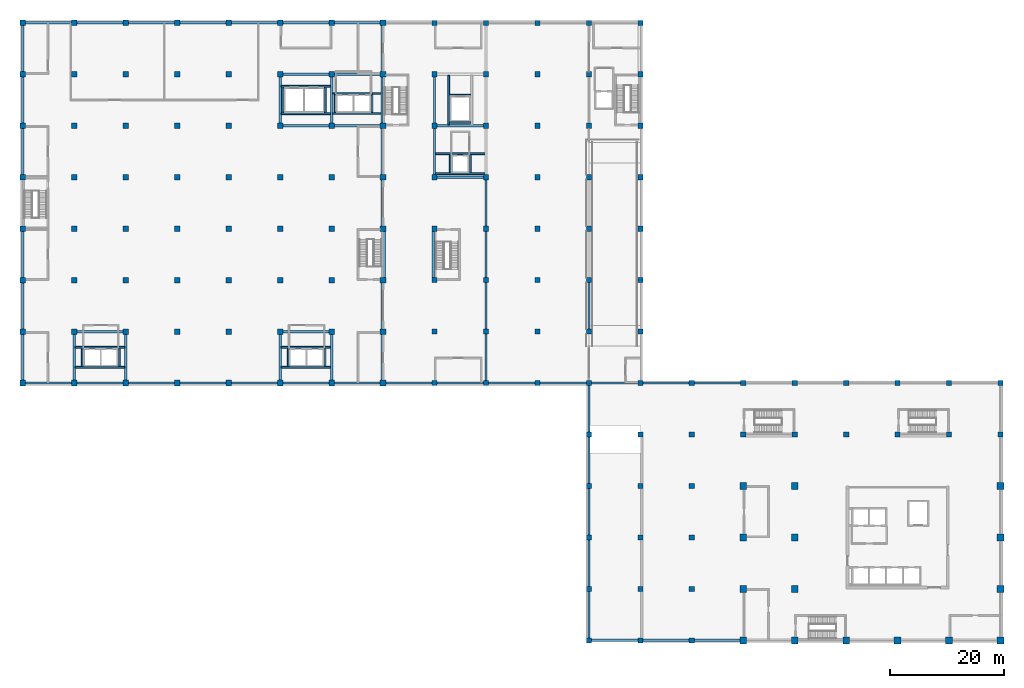
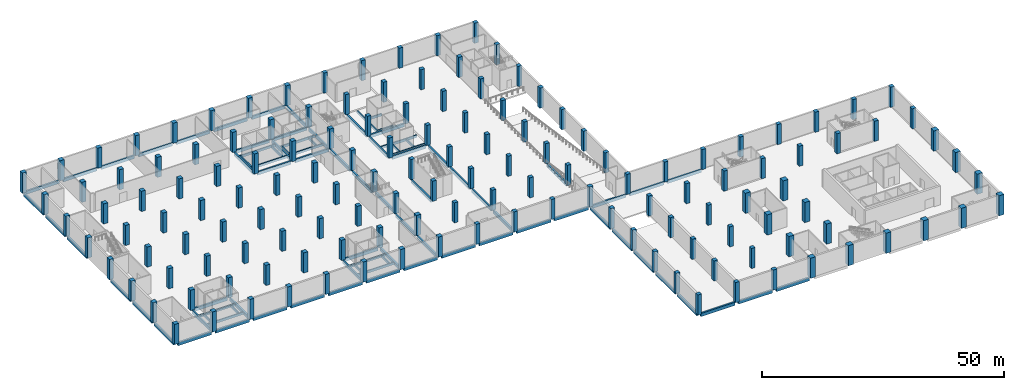
# One storey, part 1 of 16: 147 columns, 87 beams.
"""IFC4 building model written with IfcOpenShell, lengths in metres."""

from ifc_helpers import new_model, si_unit, direction, frame, origin, origin_2d, place, context, subcontext, project, spatial, rectangle, extrude, material, material_profile, profile_set, type_object, element, save


model = new_model("IFC4")

# Units and contexts
model_context = context("Model", 3, precision=1e-05, world=origin(), true_north=direction((0.0, 1.0)))
body_context = subcontext(model_context, "Body", "Model", "MODEL_VIEW")
ifc_project = project(units=[si_unit("LENGTHUNIT", "METRE"), si_unit("AREAUNIT", "SQUARE_METRE"), si_unit("VOLUMEUNIT", "CUBIC_METRE"), si_unit("PLANEANGLEUNIT", "RADIAN"), si_unit("MASSUNIT", "GRAM", prefix="KILO")], contexts=[model_context])

# Site, building, storey
site_placement = place(None, origin())
site = spatial("IfcSite", under=ifc_project, at=site_placement, CompositionType="ELEMENT")
building_placement = place(site_placement, origin())
building = spatial("IfcBuilding", under=site, at=building_placement, Name="Guidao Yard Department Store", CompositionType="ELEMENT")
storey_placement = place(building_placement, frame((0.0, 0.0, -5.10009765625)))
storey = spatial("IfcBuildingStorey", under=building, at=storey_placement, Name="B1", CompositionType="ELEMENT", Elevation=-5.10009765625)

# Columns
ifc_material_1 = material(Name="Concrete C50", Category="concrete")
ifc_material_profile_1 = material_profile(ifc_material_1, rectangle(XDim=1.0, YDim=1.0, at=origin_2d()), Name="COL 1000x1000")
ifc_profile_set_1 = profile_set([ifc_material_profile_1], Name="Concrete C50")
column_type_1 = type_object("IfcColumnType", Name="Column 1000x1000 C50", PredefinedType="COLUMN", material=ifc_profile_set_1)
for number, where, z_axis, x_axis, name in (
    (1, (0.0, 45.0, 0.0), (0.0, 0.0, 1.0), (1.0, 0.0, 0.0), "Column 1/F B1"),
    (2, (9.0, 45.0, 0.0), (0.0, 0.0, 1.0), (1.0, 0.0, 0.0), "Column 2/F B1"),
    (3, (18.0, 45.0, 0.0), (0.0, 0.0, 1.0), (1.0, 0.0, 0.0), "Column 3/F B1"),
    (4, (27.0, 45.0, 0.0), (0.0, 0.0, 1.0), (1.0, 0.0, 0.0), "Column 4/F B1"),
    (5, (36.0, 45.0, 0.0), (0.0, 0.0, 1.0), (1.0, 0.0, 0.0), "Column 5/F B1"),
    (6, (45.0, 45.0, 0.0), (0.0, 0.0, 1.0), (1.0, 0.0, 0.0), "Column 6/F B1"),
    (7, (54.0, 45.0, 0.0), (0.0, 0.0, 1.0), (1.0, 0.0, 0.0), "Column 7/F B1"),
    (8, (63.0, 45.0, 0.0), (0.0, 0.0, 1.0), (1.0, 0.0, 0.0), "Column 8/F B1"),
    (9, (0.0, 54.0, 0.0), (0.0, 0.0, 1.0), (1.0, 0.0, 0.0), "Column 1/G B1"),
    (10, (9.0, 54.0, 0.0), (0.0, 0.0, 1.0), (1.0, 0.0, 0.0), "Column 2/G B1"),
    (11, (18.0, 54.0, 0.0), (0.0, 0.0, 1.0), (1.0, 0.0, 0.0), "Column 3/G B1"),
    (12, (27.0, 54.0, 0.0), (0.0, 0.0, 1.0), (1.0, 0.0, 0.0), "Column 4/G B1"),
    (13, (36.0, 54.0, 0.0), (0.0, 0.0, 1.0), (1.0, 0.0, 0.0), "Column 5/G B1"),
    (14, (45.0, 54.0, 0.0), (0.0, 0.0, 1.0), (1.0, 0.0, 0.0), "Column 6/G B1"),
    (15, (54.0, 54.0, 0.0), (0.0, 0.0, 1.0), (1.0, 0.0, 0.0), "Column 7/G B1"),
    (16, (63.0, 54.0, 0.0), (0.0, 0.0, 1.0), (1.0, 0.0, 0.0), "Column 8/G B1"),
    (17, (0.0, 63.0, 0.0), (0.0, 0.0, 1.0), (1.0, 0.0, 0.0), "Column 1/H B1"),
    (18, (9.0, 63.0, 0.0), (0.0, 0.0, 1.0), (1.0, 0.0, 0.0), "Column 2/H B1"),
    (19, (18.0, 63.0, 0.0), (0.0, 0.0, 1.0), (1.0, 0.0, 0.0), "Column 3/H B1"),
    (20, (27.0, 63.0, 0.0), (0.0, 0.0, 1.0), (1.0, 0.0, 0.0), "Column 4/H B1"),
    (21, (36.0, 63.0, 0.0), (0.0, 0.0, 1.0), (1.0, 0.0, 0.0), "Column 5/H B1"),
    (22, (45.0, 63.0, 0.0), (0.0, 0.0, 1.0), (1.0, 0.0, 0.0), "Column 6/H B1"),
    (23, (54.0, 63.0, 0.0), (0.0, 0.0, 1.0), (1.0, 0.0, 0.0), "Column 7/H B1"),
    (24, (63.0, 63.0, 0.0), (0.0, 0.0, 1.0), (1.0, 0.0, 0.0), "Column 8/H B1"),
    (25, (0.0, 72.0, 0.0), (0.0, 0.0, 1.0), (1.0, 0.0, 0.0), "Column 1/J B1"),
    (26, (9.0, 72.0, 0.0), (0.0, 0.0, 1.0), (1.0, 0.0, 0.0), "Column 2/J B1"),
    (27, (18.0, 72.0, 0.0), (0.0, 0.0, 1.0), (1.0, 0.0, 0.0), "Column 3/J B1"),
    (28, (27.0, 72.0, 0.0), (0.0, 0.0, 1.0), (1.0, 0.0, 0.0), "Column 4/J B1"),
    (29, (36.0, 72.0, 0.0), (0.0, 0.0, 1.0), (1.0, 0.0, 0.0), "Column 5/J B1"),
    (30, (45.0, 72.0, 0.0), (0.0, 0.0, 1.0), (1.0, 0.0, 0.0), "Column 6/J B1"),
    (31, (54.0, 72.0, 0.0), (0.0, 0.0, 1.0), (1.0, 0.0, 0.0), "Column 7/J B1"),
    (32, (63.0, 72.0, 0.0), (0.0, 0.0, 1.0), (1.0, 0.0, 0.0), "Column 8/J B1"),
    (33, (0.0, 81.0, 0.0), (0.0, 0.0, 1.0), (1.0, 0.0, 0.0), "Column 1/K B1"),
    (34, (9.0, 81.0, 0.0), (0.0, 0.0, 1.0), (1.0, 0.0, 0.0), "Column 2/K B1"),
    (35, (18.0, 81.0, 0.0), (0.0, 0.0, 1.0), (1.0, 0.0, 0.0), "Column 3/K B1"),
    (36, (27.0, 81.0, 0.0), (0.0, 0.0, 1.0), (1.0, 0.0, 0.0), "Column 4/K B1"),
    (37, (36.0, 81.0, 0.0), (0.0, 0.0, 1.0), (1.0, 0.0, 0.0), "Column 5/K B1"),
    (38, (45.0, 81.0, 0.0), (0.0, 0.0, 1.0), (1.0, 0.0, 0.0), "Column 6/K B1"),
    (39, (54.0, 81.0, 0.0), (0.0, 0.0, 1.0), (1.0, 0.0, 0.0), "Column 7/K B1"),
    (40, (63.0, 81.0, 0.0), (0.0, 0.0, 1.0), (1.0, 0.0, 0.0), "Column 8/K B1"),
    (41, (0.0, 90.0, 0.0), (0.0, 0.0, 1.0), (1.0, 0.0, 0.0), "Column 1/L B1"),
    (42, (9.0, 90.0, 0.0), (0.0, 0.0, 1.0), (1.0, 0.0, 0.0), "Column 2/L B1"),
    (43, (18.0, 90.0, 0.0), (0.0, 0.0, 1.0), (1.0, 0.0, 0.0), "Column 3/L B1"),
    (44, (27.0, 90.0, 0.0), (0.0, 0.0, 1.0), (1.0, 0.0, 0.0), "Column 4/L B1"),
    (45, (36.0, 90.0, 0.0), (0.0, 0.0, 1.0), (1.0, 0.0, 0.0), "Column 5/L B1"),
    (46, (45.0, 90.0, 0.0), (0.0, 0.0, 1.0), (1.0, 0.0, 0.0), "Column 6/L B1"),
    (47, (54.0, 90.0, 0.0), (0.0, 0.0, 1.0), (1.0, 0.0, 0.0), "Column 7/L B1"),
    (48, (63.0, 90.0, 0.0), (0.0, 0.0, 1.0), (1.0, 0.0, 0.0), "Column 8/L B1"),
    (49, (0.0, 99.0, 0.0), (0.0, 0.0, 1.0), (1.0, 0.0, 0.0), "Column 1/M B1"),
    (50, (9.0, 99.0, 0.0), (0.0, 0.0, 1.0), (1.0, 0.0, 0.0), "Column 2/M B1"),
    (51, (18.0, 99.0, 0.0), (0.0, 0.0, 1.0), (1.0, 0.0, 0.0), "Column 3/M B1"),
    (52, (27.0, 99.0, 0.0), (0.0, 0.0, 1.0), (1.0, 0.0, 0.0), "Column 4/M B1"),
    (53, (36.0, 99.0, 0.0), (0.0, 0.0, 1.0), (1.0, 0.0, 0.0), "Column 5/M B1"),
    (54, (45.0, 99.0, 0.0), (0.0, 0.0, 1.0), (1.0, 0.0, 0.0), "Column 6/M B1"),
    (55, (54.0, 99.0, 0.0), (0.0, 0.0, 1.0), (1.0, 0.0, 0.0), "Column 7/M B1"),
    (56, (63.0, 99.0, 0.0), (0.0, 0.0, 1.0), (1.0, 0.0, 0.0), "Column 8/M B1"),
    (57, (0.0, 108.0, 0.0), (0.0, 0.0, 1.0), (1.0, 0.0, 0.0), "Column 1/N B1"),
    (58, (9.0, 108.0, 0.0), (0.0, 0.0, 1.0), (1.0, 0.0, 0.0), "Column 2/N B1"),
    (59, (18.0, 108.0, 0.0), (0.0, 0.0, 1.0), (1.0, 0.0, 0.0), "Column 3/N B1"),
    (60, (27.0, 108.0, 0.0), (0.0, 0.0, 1.0), (1.0, 0.0, 0.0), "Column 4/N B1"),
    (61, (36.0, 108.0, 0.0), (0.0, 0.0, 1.0), (1.0, 0.0, 0.0), "Column 5/N B1"),
    (62, (45.0, 108.0, 0.0), (0.0, 0.0, 1.0), (1.0, 0.0, 0.0), "Column 6/N B1"),
    (63, (54.0, 108.0, 0.0), (0.0, 0.0, 1.0), (1.0, 0.0, 0.0), "Column 7/N B1"),
    (64, (63.0, 108.0, 0.0), (0.0, 0.0, 1.0), (1.0, 0.0, 0.0), "Column 8/N B1"),
):
    element("IfcColumn", number, at=place(storey_placement, frame(where, z_axis=z_axis, x_axis=x_axis)), inside=storey, type_object=column_type_1, Name=name, PredefinedType="COLUMN", context=body_context, shape_type="SweptSolid", body=[
        extrude(rectangle(XDim=1.0, YDim=1.0, at=origin_2d()), origin(), (0.0, 0.0, 1.0), 5.10009765625),
    ])
ifc_material_2 = material(Name="Concrete C60", Category="concrete")
ifc_material_profile_2 = material_profile(ifc_material_2, rectangle(XDim=1.199951171875, YDim=1.199951171875, at=origin_2d()), Name="COL 1200x1200")
ifc_profile_set_2 = profile_set([ifc_material_profile_2], Name="Concrete C60")
column_type_2 = type_object("IfcColumnType", Name="Column 1200x1200 C60", PredefinedType="COLUMN", material=ifc_profile_set_2)
for number, where, z_axis, x_axis, name in (
    (65, (126.0, 0.0, 0.0), (0.0, 0.0, 1.0), (1.0, 0.0, 0.0), "Column 15/A B1"),
    (66, (135.0, 0.0, 0.0), (0.0, 0.0, 1.0), (1.0, 0.0, 0.0), "Column 16/A B1"),
    (67, (144.0, 0.0, 0.0), (0.0, 0.0, 1.0), (1.0, 0.0, 0.0), "Column 17/A B1"),
    (68, (153.0, 0.0, 0.0), (0.0, 0.0, 1.0), (1.0, 0.0, 0.0), "Column 18/A B1"),
    (69, (162.0, 0.0, 0.0), (0.0, 0.0, 1.0), (1.0, 0.0, 0.0), "Column 19/A B1"),
    (70, (171.0, 0.0, 0.0), (0.0, 0.0, 1.0), (1.0, 0.0, 0.0), "Column 20/A B1"),
    (71, (126.0, 9.0, 0.0), (0.0, 0.0, 1.0), (1.0, 0.0, 0.0), "Column 15/B B1"),
    (72, (135.0, 9.0, 0.0), (0.0, 0.0, 1.0), (1.0, 0.0, 0.0), "Column 16/B B1"),
    (73, (171.0, 9.0, 0.0), (0.0, 0.0, 1.0), (1.0, 0.0, 0.0), "Column 20/B B1"),
    (74, (126.0, 18.0, 0.0), (0.0, 0.0, 1.0), (1.0, 0.0, 0.0), "Column 15/C B1"),
    (75, (135.0, 18.0, 0.0), (0.0, 0.0, 1.0), (1.0, 0.0, 0.0), "Column 16/C B1"),
    (76, (171.0, 18.0, 0.0), (0.0, 0.0, 1.0), (1.0, 0.0, 0.0), "Column 20/C B1"),
    (77, (126.0, 27.0, 0.0), (0.0, 0.0, 1.0), (1.0, 0.0, 0.0), "Column 15/D B1"),
    (78, (135.0, 27.0, 0.0), (0.0, 0.0, 1.0), (1.0, 0.0, 0.0), "Column 16/D B1"),
    (79, (171.0, 27.0, 0.0), (0.0, 0.0, 1.0), (1.0, 0.0, 0.0), "Column 20/D B1"),
):
    element("IfcColumn", number, at=place(storey_placement, frame(where, z_axis=z_axis, x_axis=x_axis)), inside=storey, type_object=column_type_2, Name=name, PredefinedType="COLUMN", context=body_context, shape_type="SweptSolid", body=[
        extrude(rectangle(XDim=1.199951171875, YDim=1.199951171875, at=origin_2d()), origin(), (0.0, 0.0, 1.0), 5.10009765625),
    ])
ifc_material_3 = material(Name="Concrete C40", Category="concrete")
ifc_material_profile_3 = material_profile(ifc_material_3, rectangle(XDim=0.89990234375, YDim=0.89990234375, at=origin_2d()), Name="COL 900x900")
ifc_profile_set_3 = profile_set([ifc_material_profile_3], Name="Concrete C40")
column_type_3 = type_object("IfcColumnType", Name="Column 900x900 C40", PredefinedType="COLUMN", material=ifc_profile_set_3)
for number, where, z_axis, x_axis, name in (
    (80, (99.0, 0.0, 0.0), (0.0, 0.0, 1.0), (1.0, 0.0, 0.0), "Column 12/A B1"),
    (81, (108.0, 0.0, 0.0), (0.0, 0.0, 1.0), (1.0, 0.0, 0.0), "Column 13/A B1"),
    (82, (117.0, 0.0, 0.0), (0.0, 0.0, 1.0), (1.0, 0.0, 0.0), "Column 14/A B1"),
    (83, (99.0, 9.0, 0.0), (0.0, 0.0, 1.0), (1.0, 0.0, 0.0), "Column 12/B B1"),
    (84, (108.0, 9.0, 0.0), (0.0, 0.0, 1.0), (1.0, 0.0, 0.0), "Column 13/B B1"),
    (85, (117.0, 9.0, 0.0), (0.0, 0.0, 1.0), (1.0, 0.0, 0.0), "Column 14/B B1"),
    (86, (99.0, 18.0, 0.0), (0.0, 0.0, 1.0), (1.0, 0.0, 0.0), "Column 12/C B1"),
    (87, (108.0, 18.0, 0.0), (0.0, 0.0, 1.0), (1.0, 0.0, 0.0), "Column 13/C B1"),
    (88, (117.0, 18.0, 0.0), (0.0, 0.0, 1.0), (1.0, 0.0, 0.0), "Column 14/C B1"),
    (89, (99.0, 27.0, 0.0), (0.0, 0.0, 1.0), (1.0, 0.0, 0.0), "Column 12/D B1"),
    (90, (108.0, 27.0, 0.0), (0.0, 0.0, 1.0), (1.0, 0.0, 0.0), "Column 13/D B1"),
    (91, (117.0, 27.0, 0.0), (0.0, 0.0, 1.0), (1.0, 0.0, 0.0), "Column 14/D B1"),
    (92, (99.0, 36.0, 0.0), (0.0, 0.0, 1.0), (1.0, 0.0, 0.0), "Column 12/E B1"),
    (93, (108.0, 36.0, 0.0), (0.0, 0.0, 1.0), (1.0, 0.0, 0.0), "Column 13/E B1"),
    (94, (117.0, 36.0, 0.0), (0.0, 0.0, 1.0), (1.0, 0.0, 0.0), "Column 14/E B1"),
    (95, (126.0, 36.0, 0.0), (0.0, 0.0, 1.0), (1.0, 0.0, 0.0), "Column 15/E B1"),
    (96, (135.0, 36.0, 0.0), (0.0, 0.0, 1.0), (1.0, 0.0, 0.0), "Column 16/E B1"),
    (97, (144.0, 36.0, 0.0), (0.0, 0.0, 1.0), (1.0, 0.0, 0.0), "Column 17/E B1"),
    (98, (153.0, 36.0, 0.0), (0.0, 0.0, 1.0), (1.0, 0.0, 0.0), "Column 18/E B1"),
    (99, (162.0, 36.0, 0.0), (0.0, 0.0, 1.0), (1.0, 0.0, 0.0), "Column 19/E B1"),
    (100, (171.0, 36.0, 0.0), (0.0, 0.0, 1.0), (1.0, 0.0, 0.0), "Column 20/E B1"),
    (101, (72.0, 45.0, 0.0), (0.0, 0.0, 1.0), (1.0, 0.0, 0.0), "Column 9/F B1"),
    (102, (81.0, 45.0, 0.0), (0.0, 0.0, 1.0), (1.0, 0.0, 0.0), "Column 10/F B1"),
    (103, (90.0, 45.0, 0.0), (0.0, 0.0, 1.0), (1.0, 0.0, 0.0), "Column 11/F B1"),
    (104, (99.0, 45.0, 0.0), (0.0, 0.0, 1.0), (1.0, 0.0, 0.0), "Column 12/F B1"),
    (105, (108.0, 45.0, 0.0), (0.0, 0.0, 1.0), (1.0, 0.0, 0.0), "Column 13/F B1"),
    (106, (117.0, 45.0, 0.0), (0.0, 0.0, 1.0), (1.0, 0.0, 0.0), "Column 14/F B1"),
    (107, (126.0, 45.0, 0.0), (0.0, 0.0, 1.0), (1.0, 0.0, 0.0), "Column 15/F B1"),
    (108, (135.0, 45.0, 0.0), (0.0, 0.0, 1.0), (1.0, 0.0, 0.0), "Column 16/F B1"),
    (109, (144.0, 45.0, 0.0), (0.0, 0.0, 1.0), (1.0, 0.0, 0.0), "Column 17/F B1"),
    (110, (153.0, 45.0, 0.0), (0.0, 0.0, 1.0), (1.0, 0.0, 0.0), "Column 18/F B1"),
    (111, (162.0, 45.0, 0.0), (0.0, 0.0, 1.0), (1.0, 0.0, 0.0), "Column 19/F B1"),
    (112, (171.0, 45.0, 0.0), (0.0, 0.0, 1.0), (1.0, 0.0, 0.0), "Column 20/F B1"),
    (113, (72.0, 54.0, 0.0), (0.0, 0.0, 1.0), (1.0, 0.0, 0.0), "Column 9/G B1"),
    (114, (81.0, 54.0, 0.0), (0.0, 0.0, 1.0), (1.0, 0.0, 0.0), "Column 10/G B1"),
    (115, (90.0, 54.0, 0.0), (0.0, 0.0, 1.0), (1.0, 0.0, 0.0), "Column 11/G B1"),
    (116, (99.0, 54.0, 0.0), (0.0, 0.0, 1.0), (1.0, 0.0, 0.0), "Column 12/G B1"),
    (117, (108.0, 54.0, 0.0), (0.0, 0.0, 1.0), (1.0, 0.0, 0.0), "Column 13/G B1"),
    (118, (72.0, 63.0, 0.0), (0.0, 0.0, 1.0), (1.0, 0.0, 0.0), "Column 9/H B1"),
    (119, (81.0, 63.0, 0.0), (0.0, 0.0, 1.0), (1.0, 0.0, 0.0), "Column 10/H B1"),
    (120, (90.0, 63.0, 0.0), (0.0, 0.0, 1.0), (1.0, 0.0, 0.0), "Column 11/H B1"),
    (121, (99.0, 63.0, 0.0), (0.0, 0.0, 1.0), (1.0, 0.0, 0.0), "Column 12/H B1"),
    (122, (108.0, 63.0, 0.0), (0.0, 0.0, 1.0), (1.0, 0.0, 0.0), "Column 13/H B1"),
    (123, (72.0, 72.0, 0.0), (0.0, 0.0, 1.0), (1.0, 0.0, 0.0), "Column 9/J B1"),
    (124, (81.0, 72.0, 0.0), (0.0, 0.0, 1.0), (1.0, 0.0, 0.0), "Column 10/J B1"),
    (125, (90.0, 72.0, 0.0), (0.0, 0.0, 1.0), (1.0, 0.0, 0.0), "Column 11/J B1"),
    (126, (99.0, 72.0, 0.0), (0.0, 0.0, 1.0), (1.0, 0.0, 0.0), "Column 12/J B1"),
    (127, (108.0, 72.0, 0.0), (0.0, 0.0, 1.0), (1.0, 0.0, 0.0), "Column 13/J B1"),
    (128, (72.0, 81.0, 0.0), (0.0, 0.0, 1.0), (1.0, 0.0, 0.0), "Column 9/K B1"),
    (129, (81.0, 81.0, 0.0), (0.0, 0.0, 1.0), (1.0, 0.0, 0.0), "Column 10/K B1"),
    (130, (90.0, 81.0, 0.0), (0.0, 0.0, 1.0), (1.0, 0.0, 0.0), "Column 11/K B1"),
    (131, (99.0, 81.0, 0.0), (0.0, 0.0, 1.0), (1.0, 0.0, 0.0), "Column 12/K B1"),
    (132, (108.0, 81.0, 0.0), (0.0, 0.0, 1.0), (1.0, 0.0, 0.0), "Column 13/K B1"),
    (133, (72.0, 90.0, 0.0), (0.0, 0.0, 1.0), (1.0, 0.0, 0.0), "Column 9/L B1"),
    (134, (81.0, 90.0, 0.0), (0.0, 0.0, 1.0), (1.0, 0.0, 0.0), "Column 10/L B1"),
    (135, (90.0, 90.0, 0.0), (0.0, 0.0, 1.0), (1.0, 0.0, 0.0), "Column 11/L B1"),
    (136, (99.0, 90.0, 0.0), (0.0, 0.0, 1.0), (1.0, 0.0, 0.0), "Column 12/L B1"),
    (137, (108.0, 90.0, 0.0), (0.0, 0.0, 1.0), (1.0, 0.0, 0.0), "Column 13/L B1"),
    (138, (72.0, 99.0, 0.0), (0.0, 0.0, 1.0), (1.0, 0.0, 0.0), "Column 9/M B1"),
    (139, (81.0, 99.0, 0.0), (0.0, 0.0, 1.0), (1.0, 0.0, 0.0), "Column 10/M B1"),
    (140, (90.0, 99.0, 0.0), (0.0, 0.0, 1.0), (1.0, 0.0, 0.0), "Column 11/M B1"),
    (141, (99.0, 99.0, 0.0), (0.0, 0.0, 1.0), (1.0, 0.0, 0.0), "Column 12/M B1"),
    (142, (108.0, 99.0, 0.0), (0.0, 0.0, 1.0), (1.0, 0.0, 0.0), "Column 13/M B1"),
    (143, (72.0, 108.0, 0.0), (0.0, 0.0, 1.0), (1.0, 0.0, 0.0), "Column 9/N B1"),
    (144, (81.0, 108.0, 0.0), (0.0, 0.0, 1.0), (1.0, 0.0, 0.0), "Column 10/N B1"),
    (145, (90.0, 108.0, 0.0), (0.0, 0.0, 1.0), (1.0, 0.0, 0.0), "Column 11/N B1"),
    (146, (99.0, 108.0, 0.0), (0.0, 0.0, 1.0), (1.0, 0.0, 0.0), "Column 12/N B1"),
    (147, (108.0, 108.0, 0.0), (0.0, 0.0, 1.0), (1.0, 0.0, 0.0), "Column 13/N B1"),
):
    element("IfcColumn", number, at=place(storey_placement, frame(where, z_axis=z_axis, x_axis=x_axis)), inside=storey, type_object=column_type_3, Name=name, PredefinedType="COLUMN", context=body_context, shape_type="SweptSolid", body=[
        extrude(rectangle(XDim=0.89990234375, YDim=0.89990234375, at=origin_2d()), origin(), (0.0, 0.0, 1.0), 5.10009765625),
    ])

# Beams
ifc_material_4 = material(Name="Concrete C40", Category="concrete")
ifc_material_profile_4 = material_profile(ifc_material_4, rectangle(XDim=0.39990234375, YDim=0.800048828125, at=origin_2d()), Name="Edge beam 400 x 800 C40")
ifc_profile_set_4 = profile_set([ifc_material_profile_4], Name="Concrete C40")
beam_type_1 = type_object("IfcBeamType", Name="Edge beam 400 x 800 C40", PredefinedType="BEAM", material=ifc_profile_set_4)
for number, where, z_axis, x_axis, name in (
    (148, (62.800048828125, 45.5, -0.39990234375), (0.0, 1.0, 0.0), (-1.0, 0.0, 0.0), "Beam EB18"),
    (149, (62.800048828125, 54.5, -0.39990234375), (0.0, 1.0, 0.0), (-1.0, 0.0, 0.0), "Beam EB19"),
):
    element("IfcBeam", number, at=place(storey_placement, frame(where, z_axis=z_axis, x_axis=x_axis)), inside=storey, type_object=beam_type_1, Name=name, PredefinedType="BEAM", context=body_context, shape_type="SweptSolid", body=[
        extrude(rectangle(XDim=0.39990234375, YDim=0.800048828125, at=origin_2d()), origin(), (0.0, 0.0, 1.0), 8.0),
    ])
for number, where, z_axis, x_axis, name in (
    (150, (71.800048828125, 63.449951171875, -0.39990234375), (0.0, 1.0, 0.0), (-1.0, 0.0, 0.0), "Beam EB42"),
    (151, (81.0, 45.449951171875, -0.39990234375), (0.0, 1.0, 0.0), (-1.0, 0.0, 0.0), "Beam EB43"),
    (152, (81.0, 54.449951171875, -0.39990234375), (0.0, 1.0, 0.0), (-1.0, 0.0, 0.0), "Beam EB44"),
    (153, (81.0, 63.449951171875, -0.39990234375), (0.0, 1.0, 0.0), (-1.0, 0.0, 0.0), "Beam EB45"),
    (154, (81.0, 72.449951171875, -0.39990234375), (0.0, 1.0, 0.0), (-1.0, 0.0, 0.0), "Beam EB46"),
):
    element("IfcBeam", number, at=place(storey_placement, frame(where, z_axis=z_axis, x_axis=x_axis)), inside=storey, type_object=beam_type_1, Name=name, PredefinedType="BEAM", context=body_context, shape_type="SweptSolid", body=[
        extrude(rectangle(XDim=0.39990234375, YDim=0.800048828125, at=origin_2d()), origin(), (0.0, 0.0, 1.0), 8.10009765625),
    ])
for number, where, z_axis, x_axis, name in (
    (155, (9.5, 54.0, -0.39990234375), (1.0, 0.0, 0.0), (0.0, 1.0, 0.0), "Beam EB78"),
    (156, (9.0, 45.5, -0.39990234375), (0.0, 1.0, 0.0), (-1.0, 0.0, 0.0), "Beam EB79"),
    (157, (18.0, 45.5, -0.39990234375), (0.0, 1.0, 0.0), (-1.0, 0.0, 0.0), "Beam EB80"),
    (158, (45.5, 54.0, -0.39990234375), (1.0, 0.0, 0.0), (0.0, 1.0, 0.0), "Beam EB81"),
    (159, (45.0, 45.5, -0.39990234375), (0.0, 1.0, 0.0), (-1.0, 0.0, 0.0), "Beam EB82"),
    (160, (54.0, 45.5, -0.39990234375), (0.0, 1.0, 0.0), (-1.0, 0.0, 0.0), "Beam EB83"),
    (161, (45.5, 90.0, -0.39990234375), (1.0, 0.0, 0.0), (0.0, 1.0, 0.0), "Beam EB84"),
    (162, (45.5, 99.0, -0.39990234375), (1.0, 0.0, 0.0), (0.0, 1.0, 0.0), "Beam EB85"),
    (163, (45.0, 90.5, -0.39990234375), (0.0, 1.0, 0.0), (-1.0, 0.0, 0.0), "Beam EB86"),
    (164, (54.0, 90.5, -0.39990234375), (0.0, 1.0, 0.0), (-1.0, 0.0, 0.0), "Beam EB87"),
    (165, (54.5, 90.0, -0.39990234375), (1.0, 0.0, 0.0), (0.0, 1.0, 0.0), "Beam EB88"),
    (166, (54.5, 99.0, -0.39990234375), (1.0, 0.0, 0.0), (0.0, 1.0, 0.0), "Beam EB89"),
):
    element("IfcBeam", number, at=place(storey_placement, frame(where, z_axis=z_axis, x_axis=x_axis)), inside=storey, type_object=beam_type_1, Name=name, PredefinedType="BEAM", context=body_context, shape_type="SweptSolid", body=[
        extrude(rectangle(XDim=0.39990234375, YDim=0.800048828125, at=origin_2d()), origin(), (0.0, 0.0, 1.0), 8.0),
    ])
for number, where, z_axis, x_axis, name in (
    (167, (72.449951171875, 81.0, -0.39990234375), (1.0, 0.0, 0.0), (0.0, 1.0, 0.0), "Beam EB90"),
    (168, (72.449951171875, 90.0, -0.39990234375), (1.0, 0.0, 0.0), (0.0, 1.0, 0.0), "Beam EB91"),
    (169, (72.0, 81.449951171875, -0.39990234375), (0.0, 1.0, 0.0), (-1.0, 0.0, 0.0), "Beam EB92"),
    (170, (72.0, 90.449951171875, -0.39990234375), (0.0, 1.0, 0.0), (-1.0, 0.0, 0.0), "Beam EB94"),
):
    element("IfcBeam", number, at=place(storey_placement, frame(where, z_axis=z_axis, x_axis=x_axis)), inside=storey, type_object=beam_type_1, Name=name, PredefinedType="BEAM", context=body_context, shape_type="SweptSolid", body=[
        extrude(rectangle(XDim=0.39990234375, YDim=0.800048828125, at=origin_2d()), origin(), (0.0, 0.0, 1.0), 8.10009765625),
    ])
ifc_material_5 = material(Name="Concrete C40", Category="concrete")
ifc_material_profile_5 = material_profile(ifc_material_5, rectangle(XDim=0.300048828125, YDim=0.60009765625, at=origin_2d()), Name="Opening beam 300 x 600 C40")
ifc_profile_set_5 = profile_set([ifc_material_profile_5], Name="Concrete C40")
beam_type_2 = type_object("IfcBeamType", Name="Opening beam 300 x 600 C40", PredefinedType="BEAM", material=ifc_profile_set_5)
for number, where, z_axis, x_axis, name in (
    (171, (9.199951171875, 47.75, -0.2998046875), (1.0, 0.0, 0.0), (0.0, 1.0, 0.0), "Beam OB01"),
    (172, (9.199951171875, 51.25, -0.2998046875), (1.0, 0.0, 0.0), (0.0, 1.0, 0.0), "Beam OB02"),
):
    element("IfcBeam", number, at=place(storey_placement, frame(where, z_axis=z_axis, x_axis=x_axis)), inside=storey, type_object=beam_type_2, Name=name, PredefinedType="BEAM", context=body_context, shape_type="SweptSolid", body=[
        extrude(rectangle(XDim=0.300048828125, YDim=0.60009765625, at=origin_2d()), origin(), (0.0, 0.0, 1.0), 8.60009765625),
    ])
for number, where, z_axis, x_axis, name in (
    (173, (10.39990234375, 47.89990234375, -0.2998046875), (0.0, 1.0, 0.0), (-1.0, 0.0, 0.0), "Beam OB03"),
    (174, (16.85009765625, 47.89990234375, -0.2998046875), (0.0, 1.0, 0.0), (-1.0, 0.0, 0.0), "Beam OB04"),
):
    element("IfcBeam", number, at=place(storey_placement, frame(where, z_axis=z_axis, x_axis=x_axis)), inside=storey, type_object=beam_type_2, Name=name, PredefinedType="BEAM", context=body_context, shape_type="SweptSolid", body=[
        extrude(rectangle(XDim=0.300048828125, YDim=0.60009765625, at=origin_2d()), origin(), (0.0, 0.0, 1.0), 3.2001953125),
    ])
for number, where, z_axis, x_axis, name in (
    (175, (45.199951171875, 47.75, -0.2998046875), (1.0, 0.0, 0.0), (0.0, 1.0, 0.0), "Beam OB05"),
    (176, (45.199951171875, 51.25, -0.2998046875), (1.0, 0.0, 0.0), (0.0, 1.0, 0.0), "Beam OB06"),
):
    element("IfcBeam", number, at=place(storey_placement, frame(where, z_axis=z_axis, x_axis=x_axis)), inside=storey, type_object=beam_type_2, Name=name, PredefinedType="BEAM", context=body_context, shape_type="SweptSolid", body=[
        extrude(rectangle(XDim=0.300048828125, YDim=0.60009765625, at=origin_2d()), origin(), (0.0, 0.0, 1.0), 8.60009765625),
    ])
for number, where, z_axis, x_axis, name in (
    (177, (46.39990234375, 47.89990234375, -0.2998046875), (0.0, 1.0, 0.0), (-1.0, 0.0, 0.0), "Beam OB07"),
    (178, (52.85009765625, 47.89990234375, -0.2998046875), (0.0, 1.0, 0.0), (-1.0, 0.0, 0.0), "Beam OB08"),
):
    element("IfcBeam", number, at=place(storey_placement, frame(where, z_axis=z_axis, x_axis=x_axis)), inside=storey, type_object=beam_type_2, Name=name, PredefinedType="BEAM", context=body_context, shape_type="SweptSolid", body=[
        extrude(rectangle(XDim=0.300048828125, YDim=0.60009765625, at=origin_2d()), origin(), (0.0, 0.0, 1.0), 3.2001953125),
    ])
for number, where, z_axis, x_axis, name in (
    (179, (45.199951171875, 92.10009765625, -0.2998046875), (1.0, 0.0, 0.0), (0.0, 1.0, 0.0), "Beam OB09"),
    (180, (45.199951171875, 96.89990234375, -0.2998046875), (1.0, 0.0, 0.0), (0.0, 1.0, 0.0), "Beam OB10"),
):
    element("IfcBeam", number, at=place(storey_placement, frame(where, z_axis=z_axis, x_axis=x_axis)), inside=storey, type_object=beam_type_2, Name=name, PredefinedType="BEAM", context=body_context, shape_type="SweptSolid", body=[
        extrude(rectangle(XDim=0.300048828125, YDim=0.60009765625, at=origin_2d()), origin(), (0.0, 0.0, 1.0), 8.60009765625),
    ])
for number, where, z_axis, x_axis, name in (
    (181, (45.449951171875, 92.25, -0.2998046875), (0.0, 1.0, 0.0), (-1.0, 0.0, 0.0), "Beam OB11"),
    (182, (52.89990234375, 92.25, -0.2998046875), (0.0, 1.0, 0.0), (-1.0, 0.0, 0.0), "Beam OB12"),
):
    element("IfcBeam", number, at=place(storey_placement, frame(where, z_axis=z_axis, x_axis=x_axis)), inside=storey, type_object=beam_type_2, Name=name, PredefinedType="BEAM", context=body_context, shape_type="SweptSolid", body=[
        extrude(rectangle(XDim=0.300048828125, YDim=0.60009765625, at=origin_2d()), origin(), (0.0, 0.0, 1.0), 4.5),
    ])
for number, where, z_axis, x_axis, name in (
    (183, (54.199951171875, 92.14990234375, -0.2998046875), (1.0, 0.0, 0.0), (0.0, 1.0, 0.0), "Beam OB13"),
    (184, (54.199951171875, 95.64990234375, -0.2998046875), (1.0, 0.0, 0.0), (0.0, 1.0, 0.0), "Beam OB14"),
):
    element("IfcBeam", number, at=place(storey_placement, frame(where, z_axis=z_axis, x_axis=x_axis)), inside=storey, type_object=beam_type_2, Name=name, PredefinedType="BEAM", context=body_context, shape_type="SweptSolid", body=[
        extrude(rectangle(XDim=0.300048828125, YDim=0.60009765625, at=origin_2d()), origin(), (0.0, 0.0, 1.0), 8.400146484375),
    ])
for number, where, z_axis, x_axis, name in (
    (185, (54.60009765625, 92.300048828125, -0.2998046875), (0.0, 1.0, 0.0), (-1.0, 0.0, 0.0), "Beam OB15"),
    (186, (61.050048828125, 92.300048828125, -0.2998046875), (0.0, 1.0, 0.0), (-1.0, 0.0, 0.0), "Beam OB16"),
):
    element("IfcBeam", number, at=place(storey_placement, frame(where, z_axis=z_axis, x_axis=x_axis)), inside=storey, type_object=beam_type_2, Name=name, PredefinedType="BEAM", context=body_context, shape_type="SweptSolid", body=[
        extrude(rectangle(XDim=0.300048828125, YDim=0.60009765625, at=origin_2d()), origin(), (0.0, 0.0, 1.0), 3.199951171875),
    ])
for number, where, z_axis, x_axis, name in (
    (187, (72.199951171875, 81.60009765625, -0.2998046875), (1.0, 0.0, 0.0), (0.0, 1.0, 0.0), "Beam OB17"),
    (188, (72.199951171875, 85.10009765625, -0.2998046875), (1.0, 0.0, 0.0), (0.0, 1.0, 0.0), "Beam OB18"),
):
    element("IfcBeam", number, at=place(storey_placement, frame(where, z_axis=z_axis, x_axis=x_axis)), inside=storey, type_object=beam_type_2, Name=name, PredefinedType="BEAM", context=body_context, shape_type="SweptSolid", body=[
        extrude(rectangle(XDim=0.300048828125, YDim=0.60009765625, at=origin_2d()), origin(), (0.0, 0.0, 1.0), 8.60009765625),
    ])
for number, where, z_axis, x_axis, name in (
    (189, (74.75, 81.75, -0.2998046875), (0.0, 1.0, 0.0), (-1.0, 0.0, 0.0), "Beam OB19"),
    (190, (78.25, 81.75, -0.2998046875), (0.0, 1.0, 0.0), (-1.0, 0.0, 0.0), "Beam OB20"),
):
    element("IfcBeam", number, at=place(storey_placement, frame(where, z_axis=z_axis, x_axis=x_axis)), inside=storey, type_object=beam_type_2, Name=name, PredefinedType="BEAM", context=body_context, shape_type="SweptSolid", body=[
        extrude(rectangle(XDim=0.300048828125, YDim=0.60009765625, at=origin_2d()), origin(), (0.0, 0.0, 1.0), 3.199951171875),
    ])
beam_1_placement = place(storey_placement, frame((74.5, 90.199951171875, -0.2998046875), z_axis=(0.0, 1.0, 0.0), x_axis=(-1.0, 0.0, 0.0)))
element("IfcBeam", 191, at=beam_1_placement, inside=storey, type_object=beam_type_2, Name="Beam OB21", PredefinedType="BEAM", context=body_context, shape_type="SweptSolid", body=[
    extrude(rectangle(XDim=0.300048828125, YDim=0.60009765625, at=origin_2d()), origin(), (0.0, 0.0, 1.0), 8.60009765625),
])
for number, where, z_axis, x_axis, name in (
    (192, (74.64990234375, 90.60009765625, -0.2998046875), (1.0, 0.0, 0.0), (0.0, 1.0, 0.0), "Beam OB23"),
    (193, (74.64990234375, 95.39990234375, -0.2998046875), (1.0, 0.0, 0.0), (0.0, 1.0, 0.0), "Beam OB24"),
):
    element("IfcBeam", number, at=place(storey_placement, frame(where, z_axis=z_axis, x_axis=x_axis)), inside=storey, type_object=beam_type_2, Name=name, PredefinedType="BEAM", context=body_context, shape_type="SweptSolid", body=[
        extrude(rectangle(XDim=0.300048828125, YDim=0.60009765625, at=origin_2d()), origin(), (0.0, 0.0, 1.0), 3.7001953125),
    ])
ifc_material_6 = material(Name="Concrete C40", Category="concrete")
ifc_material_profile_6 = material_profile(ifc_material_6, rectangle(XDim=0.39990234375, YDim=0.800048828125, at=origin_2d()), Name="Spandrel beam 400 x 800 C40")
ifc_profile_set_6 = profile_set([ifc_material_profile_6], Name="Concrete C40")
beam_type_3 = type_object("IfcBeamType", Name="Spandrel beam 400 x 800 C40", PredefinedType="SPANDREL", material=ifc_profile_set_6)
for number, where, z_axis, x_axis, name in (
    (194, (0.0, 45.5, -0.39990234375), (0.0, 1.0, 0.0), (-1.0, 0.0, 0.0), "Beam EB01"),
    (195, (0.0, 54.5, -0.39990234375), (0.0, 1.0, 0.0), (-1.0, 0.0, 0.0), "Beam EB02"),
    (196, (0.0, 63.5, -0.39990234375), (0.0, 1.0, 0.0), (-1.0, 0.0, 0.0), "Beam EB03"),
    (197, (0.0, 81.5, -0.39990234375), (0.0, 1.0, 0.0), (-1.0, 0.0, 0.0), "Beam EB04"),
    (198, (0.0, 90.5, -0.39990234375), (0.0, 1.0, 0.0), (-1.0, 0.0, 0.0), "Beam EB05"),
    (199, (0.0, 99.5, -0.39990234375), (0.0, 1.0, 0.0), (-1.0, 0.0, 0.0), "Beam EB06"),
    (200, (0.5, 108.0, -0.39990234375), (1.0, 0.0, 0.0), (0.0, 1.0, 0.0), "Beam EB07"),
    (201, (9.5, 108.0, -0.39990234375), (1.0, 0.0, 0.0), (0.0, 1.0, 0.0), "Beam EB08"),
    (202, (18.5, 108.0, -0.39990234375), (1.0, 0.0, 0.0), (0.0, 1.0, 0.0), "Beam EB09"),
    (203, (27.5, 108.0, -0.39990234375), (1.0, 0.0, 0.0), (0.0, 1.0, 0.0), "Beam EB10"),
    (204, (36.5, 108.0, -0.39990234375), (1.0, 0.0, 0.0), (0.0, 1.0, 0.0), "Beam EB11"),
    (205, (45.5, 108.0, -0.39990234375), (1.0, 0.0, 0.0), (0.0, 1.0, 0.0), "Beam EB12"),
    (206, (54.5, 108.0, -0.39990234375), (1.0, 0.0, 0.0), (0.0, 1.0, 0.0), "Beam EB13"),
    (207, (62.800048828125, 72.5, -0.39990234375), (0.0, 1.0, 0.0), (-1.0, 0.0, 0.0), "Beam EB14"),
    (208, (62.800048828125, 81.5, -0.39990234375), (0.0, 1.0, 0.0), (-1.0, 0.0, 0.0), "Beam EB15"),
    (209, (62.800048828125, 90.5, -0.39990234375), (0.0, 1.0, 0.0), (-1.0, 0.0, 0.0), "Beam EB16"),
    (210, (62.800048828125, 99.5, -0.39990234375), (0.0, 1.0, 0.0), (-1.0, 0.0, 0.0), "Beam EB17"),
    (211, (0.5, 45.0, -0.39990234375), (1.0, 0.0, 0.0), (0.0, 1.0, 0.0), "Beam EB20"),
    (212, (9.5, 45.0, -0.39990234375), (1.0, 0.0, 0.0), (0.0, 1.0, 0.0), "Beam EB21"),
    (213, (18.5, 45.0, -0.39990234375), (1.0, 0.0, 0.0), (0.0, 1.0, 0.0), "Beam EB22"),
    (214, (27.5, 45.0, -0.39990234375), (1.0, 0.0, 0.0), (0.0, 1.0, 0.0), "Beam EB23"),
    (215, (36.5, 45.0, -0.39990234375), (1.0, 0.0, 0.0), (0.0, 1.0, 0.0), "Beam EB24"),
    (216, (45.5, 45.0, -0.39990234375), (1.0, 0.0, 0.0), (0.0, 1.0, 0.0), "Beam EB25"),
    (217, (54.5, 45.0, -0.39990234375), (1.0, 0.0, 0.0), (0.0, 1.0, 0.0), "Beam EB26"),
    (218, (63.199951171875, 63.5, -0.39990234375), (0.0, 1.0, 0.0), (-1.0, 0.0, 0.0), "Beam EB27"),
):
    element("IfcBeam", number, at=place(storey_placement, frame(where, z_axis=z_axis, x_axis=x_axis)), inside=storey, type_object=beam_type_3, Name=name, PredefinedType="SPANDREL", context=body_context, shape_type="SweptSolid", body=[
        extrude(rectangle(XDim=0.39990234375, YDim=0.800048828125, at=origin_2d()), origin(), (0.0, 0.0, 1.0), 8.0),
    ])
beam_2_placement = place(storey_placement, frame((99.0, 54.449951171875, -0.39990234375), z_axis=(0.0, 1.0, 0.0), x_axis=(-1.0, 0.0, 0.0)))
element("IfcBeam", 219, at=beam_2_placement, inside=storey, type_object=beam_type_3, Name="Beam EB34", PredefinedType="SPANDREL", context=body_context, shape_type="SweptSolid", body=[
    extrude(rectangle(XDim=0.39990234375, YDim=0.800048828125, at=origin_2d()), origin(), (0.0, 0.0, 1.0), 8.10009765625),
])
beam_3_placement = place(storey_placement, frame((63.5, 45.0, -0.39990234375), z_axis=(1.0, 0.0, 0.0), x_axis=(0.0, 1.0, 0.0)))
element("IfcBeam", 220, at=beam_3_placement, inside=storey, type_object=beam_type_3, Name="Beam EB37", PredefinedType="SPANDREL", context=body_context, shape_type="SweptSolid", body=[
    extrude(rectangle(XDim=0.39990234375, YDim=0.800048828125, at=origin_2d()), origin(), (0.0, 0.0, 1.0), 8.050048828125),
])
for number, where, z_axis, x_axis, name in (
    (221, (72.449951171875, 45.0, -0.39990234375), (1.0, 0.0, 0.0), (0.0, 1.0, 0.0), "Beam EB38"),
    (222, (81.449951171875, 45.0, -0.39990234375), (1.0, 0.0, 0.0), (0.0, 1.0, 0.0), "Beam EB39"),
    (223, (90.449951171875, 45.0, -0.39990234375), (1.0, 0.0, 0.0), (0.0, 1.0, 0.0), "Beam EB40"),
    (224, (99.449951171875, 45.0, -0.39990234375), (1.0, 0.0, 0.0), (0.0, 1.0, 0.0), "Beam EB41"),
    (225, (108.449951171875, 45.0, -0.39990234375), (1.0, 0.0, 0.0), (0.0, 1.0, 0.0), "Beam EB52"),
    (226, (117.449951171875, 45.0, -0.39990234375), (1.0, 0.0, 0.0), (0.0, 1.0, 0.0), "Beam EB53"),
    (227, (99.449951171875, 0.0, -0.39990234375), (1.0, 0.0, 0.0), (0.0, 1.0, 0.0), "Beam EB67"),
    (228, (108.449951171875, 0.0, -0.39990234375), (1.0, 0.0, 0.0), (0.0, 1.0, 0.0), "Beam EB68"),
):
    element("IfcBeam", number, at=place(storey_placement, frame(where, z_axis=z_axis, x_axis=x_axis)), inside=storey, type_object=beam_type_3, Name=name, PredefinedType="SPANDREL", context=body_context, shape_type="SweptSolid", body=[
        extrude(rectangle(XDim=0.39990234375, YDim=0.800048828125, at=origin_2d()), origin(), (0.0, 0.0, 1.0), 8.10009765625),
    ])
beam_4_placement = place(storey_placement, frame((117.449951171875, 0.0, -0.39990234375), z_axis=(1.0, 0.0, 0.0), x_axis=(0.0, 1.0, 0.0)))
element("IfcBeam", 229, at=beam_4_placement, inside=storey, type_object=beam_type_3, Name="Beam EB69", PredefinedType="SPANDREL", context=body_context, shape_type="SweptSolid", body=[
    extrude(rectangle(XDim=0.39990234375, YDim=0.800048828125, at=origin_2d()), origin(), (0.0, 0.0, 1.0), 7.949951171875),
])
for number, where, z_axis, x_axis, name in (
    (230, (99.0, 0.449951171875, -0.39990234375), (0.0, 1.0, 0.0), (-1.0, 0.0, 0.0), "Beam EB71"),
    (231, (99.0, 9.449951171875, -0.39990234375), (0.0, 1.0, 0.0), (-1.0, 0.0, 0.0), "Beam EB72"),
    (232, (99.0, 18.449951171875, -0.39990234375), (0.0, 1.0, 0.0), (-1.0, 0.0, 0.0), "Beam EB73"),
    (233, (99.0, 27.449951171875, -0.39990234375), (0.0, 1.0, 0.0), (-1.0, 0.0, 0.0), "Beam EB74"),
    (234, (99.0, 36.449951171875, -0.39990234375), (0.0, 1.0, 0.0), (-1.0, 0.0, 0.0), "Beam EB75"),
):
    element("IfcBeam", number, at=place(storey_placement, frame(where, z_axis=z_axis, x_axis=x_axis)), inside=storey, type_object=beam_type_3, Name=name, PredefinedType="SPANDREL", context=body_context, shape_type="SweptSolid", body=[
        extrude(rectangle(XDim=0.39990234375, YDim=0.800048828125, at=origin_2d()), origin(), (0.0, 0.0, 1.0), 8.10009765625),
    ])

save(model, "model.ifc")
